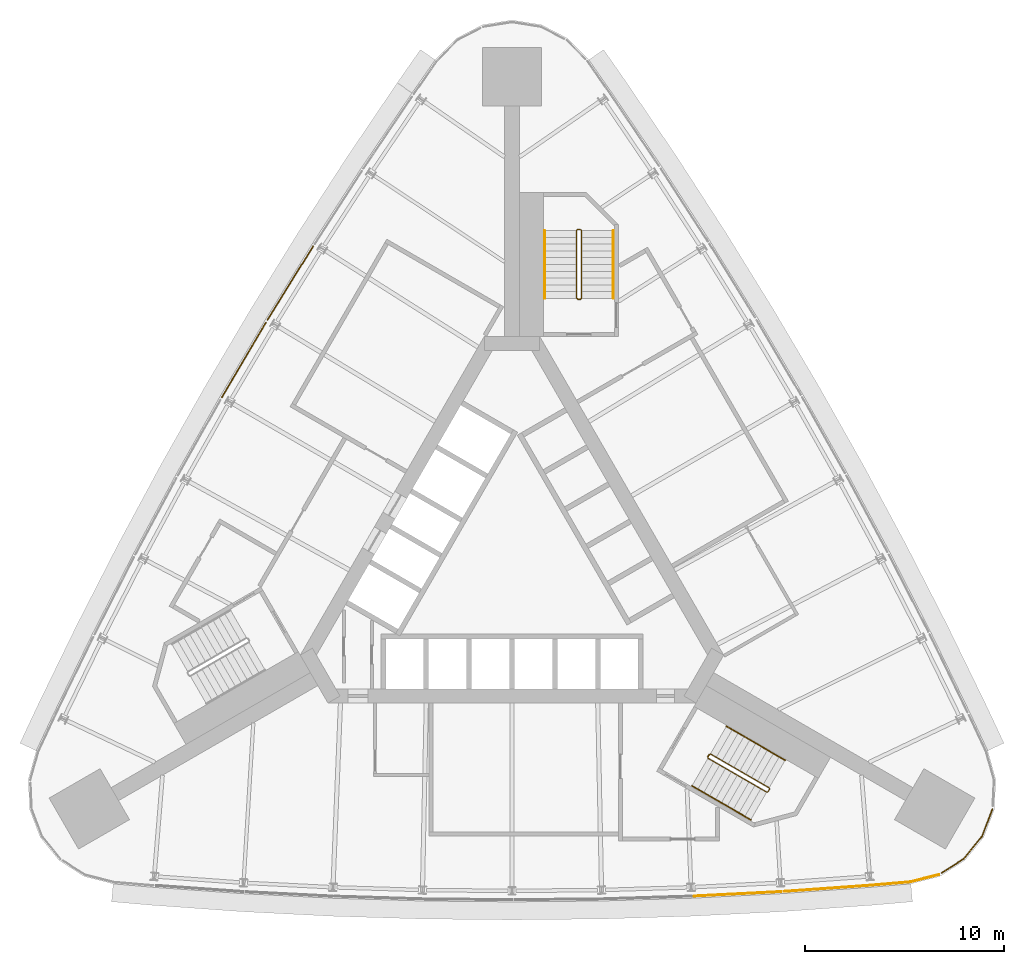
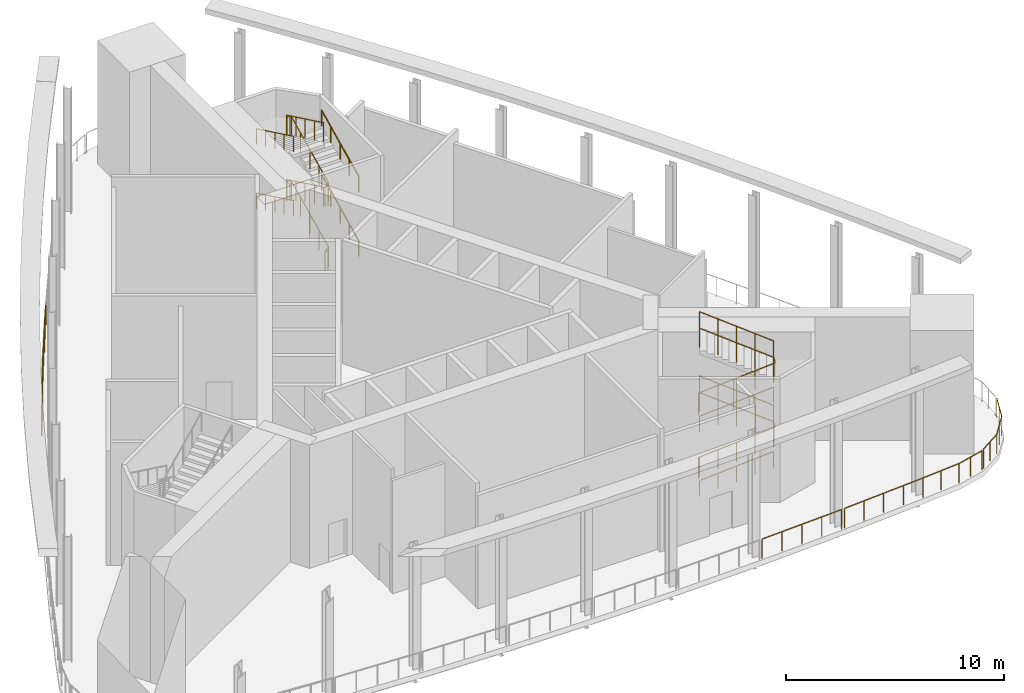
# One storey, part 6 of 7: 15 railings.
"""IFC4 building model written with IfcOpenShell, lengths in metres."""

from ifc_helpers import new_model, si_unit, direction, frame, origin, origin_2d, place, context, subcontext, project, spatial, circle, extrude, material, type_object, element, save


model = new_model("IFC4")

# Units and contexts
model_context = context("Model", 3, precision=1e-05, world=origin(), true_north=direction((0.0, 1.0)))
body_context = subcontext(model_context, "Body", "Model", "MODEL_VIEW")
ifc_project = project(units=[si_unit("LENGTHUNIT", "METRE"), si_unit("AREAUNIT", "SQUARE_METRE"), si_unit("VOLUMEUNIT", "CUBIC_METRE"), si_unit("PLANEANGLEUNIT", "RADIAN"), si_unit("MASSUNIT", "GRAM", prefix="KILO")], contexts=[model_context])

# Site, building, storey
site_placement = place(None, origin())
site = spatial("IfcSite", under=ifc_project, at=site_placement, CompositionType="ELEMENT")
building_placement = place(site_placement, origin())
building = spatial("IfcBuilding", under=site, at=building_placement, Name="Noor Cloister Tower", CompositionType="ELEMENT")
storey_placement = place(building_placement, frame((0.0, 0.0, 127.5)))
storey = spatial("IfcBuildingStorey", under=building, at=storey_placement, Name="L33", CompositionType="ELEMENT", Elevation=127.5)

# Railings
ifc_material_1 = material(Name="Stainless steel", Category="steel")
railing_type_1 = type_object("IfcRailingType", Name="Stair guard 1100", PredefinedType="GUARDRAIL", material=ifc_material_1)
railing_1_placement = place(storey_placement, frame((3.435546875, 13.306396484375, 0.0)))
element("IfcRailing", 1, at=railing_1_placement, inside=storey, type_object=railing_type_1, Name="Stair guard ST1 L33", PredefinedType="GUARDRAIL", context=body_context, shape_type="SweptSolid", body=[
    extrude(circle(Radius=0.02392578125, at=origin_2d()), frame((0.0, 0.0, 1.076171875), z_axis=(-1.0, 0.0, 0.0), x_axis=(0.0, -1.0, 0.0)), (0.0, 0.0, 1.0), 0.14990234375),
    extrude(circle(Radius=0.02392578125, at=origin_2d()), frame((-0.14990234375, 0.0, 1.076171875), z_axis=(0.759870394187, 0.190199549216, 0.621627795), x_axis=(-0.242814311512, 0.970072785993, 0.0)), (0.0, 0.0, 1.0), 0.26318359375),
    extrude(circle(Radius=0.02392578125, at=origin_2d()), frame((0.050048828125, 0.050048828125, 1.23974609375), z_axis=(0.0, 0.901055053782, 0.433704726806), x_axis=(-1.0, 0.0, 0.0)), (0.0, 0.0, 1.0), 3.773193359375),
    extrude(circle(Radius=0.02392578125, at=origin_2d()), frame((0.050048828125, 3.449951171875, 2.8759765625), z_axis=(-0.707106781187, 0.707106781187, 0.0), x_axis=(-0.707106781187, -0.707106781187, 0.0)), (0.0, 0.0, 1.0), 0.07080078125),
    extrude(circle(Radius=0.02392578125, at=origin_2d()), frame((0.0, 3.5, 2.8759765625), z_axis=(-1.0, 0.0, 0.0), x_axis=(0.0, -1.0, 0.0)), (0.0, 0.0, 1.0), 0.14990234375),
    extrude(circle(Radius=0.02392578125, at=origin_2d()), frame((-0.14990234375, 3.5, 2.8759765625), z_axis=(-0.280808744504, -0.280808744504, 0.917765164963), x_axis=(0.707106781187, -0.707106781187, 0.0)), (0.0, 0.0, 1.0), 0.17822265625),
    extrude(circle(Radius=0.02392578125, at=origin_2d()), frame((-0.199951171875, 3.449951171875, 3.03955078125), z_axis=(0.0, -0.901055053782, 0.433704726806), x_axis=(1.0, 0.0, 0.0)), (0.0, 0.0, 1.0), 3.773193359375),
    extrude(circle(Radius=0.02392578125, at=origin_2d()), frame((-0.199951171875, 0.050048828125, 4.67626953125), z_axis=(0.970072785993, -0.242814311512, 0.0), x_axis=(0.242814311512, 0.970072785993, 0.0)), (0.0, 0.0, 1.0), 0.2060546875),
    extrude(circle(Radius=0.02392578125, at=origin_2d()), frame((0.0, 0.0, 4.67626953125), z_axis=(-1.0, 0.0, 0.0), x_axis=(0.0, -1.0, 0.0)), (0.0, 0.0, 1.0), 0.14990234375),
    extrude(circle(Radius=0.02392578125, at=origin_2d()), frame((-0.14990234375, 0.0, 4.67626953125), z_axis=(0.759870394187, 0.190199549216, 0.621627795), x_axis=(-0.242814311512, 0.970072785993, 0.0)), (0.0, 0.0, 1.0), 0.26318359375),
    extrude(circle(Radius=0.02392578125, at=origin_2d()), frame((0.050048828125, 0.050048828125, 4.83984375), z_axis=(0.0, 0.901080338394, 0.433652192153), x_axis=(-1.0, 0.0, 0.0)), (0.0, 0.0, 1.0), 3.773193359375),
    extrude(circle(Radius=0.02392578125, at=origin_2d()), frame((0.050048828125, 3.449951171875, 6.47607421875), z_axis=(-0.707106781187, 0.707106781187, 0.0), x_axis=(-0.707106781187, -0.707106781187, 0.0)), (0.0, 0.0, 1.0), 0.07080078125),
    extrude(circle(Radius=0.02392578125, at=origin_2d()), frame((0.0, 3.5, 6.47607421875), z_axis=(-1.0, 0.0, 0.0), x_axis=(0.0, -1.0, 0.0)), (0.0, 0.0, 1.0), 0.14990234375),
    extrude(circle(Radius=0.02392578125, at=origin_2d()), frame((-0.14990234375, 3.5, 6.47607421875), z_axis=(-0.280456126637, -0.280456126637, 0.917980785237), x_axis=(0.707106781187, -0.707106781187, 0.0)), (0.0, 0.0, 1.0), 0.178466796875),
    extrude(circle(Radius=0.02392578125, at=origin_2d()), frame((-0.199951171875, 3.449951171875, 6.6396484375), z_axis=(0.0, -0.901080338394, 0.433652192153), x_axis=(1.0, 0.0, 0.0)), (0.0, 0.0, 1.0), 3.773193359375),
    extrude(circle(Radius=0.02099609375, at=origin_2d()), origin(), (0.0, 0.0, 1.0), 1.052001953125),
    extrude(circle(Radius=0.02099609375, at=origin_2d()), frame((-0.14990234375, 0.0, 0.0)), (0.0, 0.0, 1.0), 1.052001953125),
    extrude(circle(Radius=0.02099609375, at=origin_2d()), frame((0.050048828125, 0.050048828125, 0.16357421875)), (0.0, 0.0, 1.0), 1.052001953125),
    extrude(circle(Radius=0.02099609375, at=origin_2d()), frame((0.050048828125, 0.89990234375, 0.57275390625)), (0.0, 0.0, 1.0), 1.052001953125),
    extrude(circle(Radius=0.02099609375, at=origin_2d()), frame((0.050048828125, 1.75, 0.98193359375)), (0.0, 0.0, 1.0), 1.052001953125),
    extrude(circle(Radius=0.02099609375, at=origin_2d()), frame((0.050048828125, 2.60009765625, 1.390869140625)), (0.0, 0.0, 1.0), 1.052001953125),
    extrude(circle(Radius=0.02099609375, at=origin_2d()), frame((0.050048828125, 3.449951171875, 1.800048828125)), (0.0, 0.0, 1.0), 1.052001953125),
    extrude(circle(Radius=0.02099609375, at=origin_2d()), frame((0.0, 3.5, 1.800048828125)), (0.0, 0.0, 1.0), 1.052001953125),
    extrude(circle(Radius=0.02099609375, at=origin_2d()), frame((-0.14990234375, 3.5, 1.800048828125)), (0.0, 0.0, 1.0), 1.052001953125),
    extrude(circle(Radius=0.02099609375, at=origin_2d()), frame((-0.199951171875, 3.449951171875, 1.963623046875)), (0.0, 0.0, 1.0), 1.052001953125),
    extrude(circle(Radius=0.02099609375, at=origin_2d()), frame((-0.199951171875, 2.60009765625, 2.372802734375)), (0.0, 0.0, 1.0), 1.052001953125),
    extrude(circle(Radius=0.02099609375, at=origin_2d()), frame((-0.199951171875, 1.75, 2.78173828125)), (0.0, 0.0, 1.0), 1.052001953125),
    extrude(circle(Radius=0.02099609375, at=origin_2d()), frame((-0.199951171875, 0.89990234375, 3.19091796875)), (0.0, 0.0, 1.0), 1.052001953125),
    extrude(circle(Radius=0.02099609375, at=origin_2d()), frame((-0.199951171875, 0.050048828125, 3.60009765625)), (0.0, 0.0, 1.0), 1.052001953125),
    extrude(circle(Radius=0.02099609375, at=origin_2d()), frame((0.0, 0.0, 3.60009765625)), (0.0, 0.0, 1.0), 1.052001953125),
    extrude(circle(Radius=0.02099609375, at=origin_2d()), frame((-0.14990234375, 0.0, 3.60009765625)), (0.0, 0.0, 1.0), 1.052001953125),
    extrude(circle(Radius=0.02099609375, at=origin_2d()), frame((0.050048828125, 0.050048828125, 3.763671875)), (0.0, 0.0, 1.0), 1.052001953125),
    extrude(circle(Radius=0.02099609375, at=origin_2d()), frame((0.050048828125, 0.89990234375, 4.1728515625)), (0.0, 0.0, 1.0), 1.052001953125),
    extrude(circle(Radius=0.02099609375, at=origin_2d()), frame((0.050048828125, 1.75, 4.581787109375)), (0.0, 0.0, 1.0), 1.052001953125),
    extrude(circle(Radius=0.02099609375, at=origin_2d()), frame((0.050048828125, 2.60009765625, 4.99072265625)), (0.0, 0.0, 1.0), 1.052001953125),
    extrude(circle(Radius=0.02099609375, at=origin_2d()), frame((0.050048828125, 3.449951171875, 5.39990234375)), (0.0, 0.0, 1.0), 1.052001953125),
    extrude(circle(Radius=0.02099609375, at=origin_2d()), frame((0.0, 3.5, 5.39990234375)), (0.0, 0.0, 1.0), 1.052001953125),
    extrude(circle(Radius=0.02099609375, at=origin_2d()), frame((-0.14990234375, 3.5, 5.39990234375)), (0.0, 0.0, 1.0), 1.052001953125),
    extrude(circle(Radius=0.02099609375, at=origin_2d()), frame((-0.199951171875, 3.449951171875, 5.563720703125)), (0.0, 0.0, 1.0), 1.052001953125),
    extrude(circle(Radius=0.02099609375, at=origin_2d()), frame((-0.199951171875, 2.60009765625, 5.97265625)), (0.0, 0.0, 1.0), 1.052001953125),
    extrude(circle(Radius=0.02099609375, at=origin_2d()), frame((-0.199951171875, 1.75, 6.3818359375)), (0.0, 0.0, 1.0), 1.052001953125),
    extrude(circle(Radius=0.02099609375, at=origin_2d()), frame((-0.199951171875, 0.89990234375, 6.791015625)), (0.0, 0.0, 1.0), 1.052001953125),
    extrude(circle(Radius=0.02099609375, at=origin_2d()), frame((-0.199951171875, 0.050048828125, 7.199951171875)), (0.0, 0.0, 1.0), 1.052001953125),
])
railing_2_placement = place(storey_placement, frame((9.805908203125, -9.628662109375, 0.0)))
element("IfcRailing", 2, at=railing_2_placement, inside=storey, type_object=railing_type_1, Name="Stair guard ST3 L33", PredefinedType="GUARDRAIL", context=body_context, shape_type="SweptSolid", body=[
    extrude(circle(Radius=0.02392578125, at=origin_2d()), frame((0.0, 0.0, 1.076171875), z_axis=(0.499112439033, 0.866537231285, 0.0), x_axis=(-0.866537231285, 0.499112439033, 0.0)), (0.0, 0.0, 1.0), 0.150146484375),
    extrude(circle(Radius=0.02392578125, at=origin_2d()), frame((0.074951171875, 0.130126953125, 1.076171875), z_axis=(-0.215214839654, -0.753251938789, 0.621525614518), x_axis=(0.961523947641, -0.274721127897, 0.0)), (0.0, 0.0, 1.0), 0.26318359375),
    extrude(circle(Radius=0.02392578125, at=origin_2d()), frame((0.018310546875, -0.068115234375, 1.23974609375), z_axis=(0.7803069921, -0.450585231591, 0.433697990717), x_axis=(0.500062241894, 0.865989465428, 0.0)), (0.0, 0.0, 1.0), 3.773193359375),
    extrude(circle(Radius=0.02392578125, at=origin_2d()), frame((2.962646484375, -1.768310546875, 2.8759765625), z_axis=(0.965948051503, 0.258736085224, 0.0), x_axis=(-0.258736085224, 0.965948051503, 0.0)), (0.0, 0.0, 1.0), 0.07080078125),
    extrude(circle(Radius=0.02392578125, at=origin_2d()), frame((3.031005859375, -1.75, 2.8759765625), z_axis=(0.499112439033, 0.866537231285, 0.0), x_axis=(-0.866537231285, 0.499112439033, 0.0)), (0.0, 0.0, 1.0), 0.150146484375),
    extrude(circle(Radius=0.02392578125, at=origin_2d()), frame((3.10595703125, -1.619873046875, 2.8759765625), z_axis=(-0.102791240646, 0.382383415203, 0.918268416436), x_axis=(-0.965715946433, -0.259601060869, 0.0)), (0.0, 0.0, 1.0), 0.17822265625),
    extrude(circle(Radius=0.02392578125, at=origin_2d()), frame((3.087646484375, -1.5517578125, 3.03955078125), z_axis=(-0.780329740374, 0.450533663534, 0.433710634306), x_axis=(-0.500008388397, -0.866020560687, 0.0)), (0.0, 0.0, 1.0), 3.773193359375),
    extrude(circle(Radius=0.02392578125, at=origin_2d()), frame((0.143310546875, 0.148193359375, 4.67626953125), z_axis=(-0.695164929852, -0.718850276695, 0.0), x_axis=(0.718850276695, -0.695164929852, 0.0)), (0.0, 0.0, 1.0), 0.2060546875),
    extrude(circle(Radius=0.02392578125, at=origin_2d()), frame((0.0, 0.0, 4.67626953125), z_axis=(0.499112439033, 0.866537231285, 0.0), x_axis=(-0.866537231285, 0.499112439033, 0.0)), (0.0, 0.0, 1.0), 0.150146484375),
    extrude(circle(Radius=0.02392578125, at=origin_2d()), frame((0.074951171875, 0.130126953125, 4.67626953125), z_axis=(-0.215214839654, -0.753251938789, 0.621525614518), x_axis=(0.961523947641, -0.274721127897, 0.0)), (0.0, 0.0, 1.0), 0.26318359375),
    extrude(circle(Radius=0.02392578125, at=origin_2d()), frame((0.018310546875, -0.068115234375, 4.83984375), z_axis=(0.780328887707, -0.450597875124, 0.433645456502), x_axis=(0.500062241894, 0.865989465428, 0.0)), (0.0, 0.0, 1.0), 3.773193359375),
    extrude(circle(Radius=0.02392578125, at=origin_2d()), frame((2.962646484375, -1.768310546875, 6.47607421875), z_axis=(0.965948051503, 0.258736085224, 0.0), x_axis=(-0.258736085224, 0.965948051503, 0.0)), (0.0, 0.0, 1.0), 0.07080078125),
    extrude(circle(Radius=0.02392578125, at=origin_2d()), frame((3.031005859375, -1.75, 6.47607421875), z_axis=(0.499112439033, 0.866537231285, 0.0), x_axis=(-0.866537231285, 0.499112439033, 0.0)), (0.0, 0.0, 1.0), 0.150146484375),
    extrude(circle(Radius=0.02392578125, at=origin_2d()), frame((3.10595703125, -1.619873046875, 6.47607421875), z_axis=(-0.10266202204, 0.381902721988, 0.918482890515), x_axis=(-0.965715946433, -0.259601060869, 0.0)), (0.0, 0.0, 1.0), 0.178466796875),
    extrude(circle(Radius=0.02392578125, at=origin_2d()), frame((3.087646484375, -1.5517578125, 6.6396484375), z_axis=(-0.780351637896, 0.450546306357, 0.433658099268), x_axis=(-0.500008388397, -0.866020560687, 0.0)), (0.0, 0.0, 1.0), 3.773193359375),
    extrude(circle(Radius=0.02099609375, at=origin_2d()), origin(), (0.0, 0.0, 1.0), 1.052001953125),
    extrude(circle(Radius=0.02099609375, at=origin_2d()), frame((0.074951171875, 0.130126953125, 0.0)), (0.0, 0.0, 1.0), 1.052001953125),
    extrude(circle(Radius=0.02099609375, at=origin_2d()), frame((0.018310546875, -0.068115234375, 0.16357421875)), (0.0, 0.0, 1.0), 1.052001953125),
    extrude(circle(Radius=0.02099609375, at=origin_2d()), frame((0.75439453125, -0.4931640625, 0.57275390625)), (0.0, 0.0, 1.0), 1.052001953125),
    extrude(circle(Radius=0.02099609375, at=origin_2d()), frame((1.490478515625, -0.918212890625, 0.98193359375)), (0.0, 0.0, 1.0), 1.052001953125),
    extrude(circle(Radius=0.02099609375, at=origin_2d()), frame((2.2265625, -1.34326171875, 1.390869140625)), (0.0, 0.0, 1.0), 1.052001953125),
    extrude(circle(Radius=0.02099609375, at=origin_2d()), frame((2.962646484375, -1.768310546875, 1.800048828125)), (0.0, 0.0, 1.0), 1.052001953125),
    extrude(circle(Radius=0.02099609375, at=origin_2d()), frame((3.031005859375, -1.75, 1.800048828125)), (0.0, 0.0, 1.0), 1.052001953125),
    extrude(circle(Radius=0.02099609375, at=origin_2d()), frame((3.10595703125, -1.619873046875, 1.800048828125)), (0.0, 0.0, 1.0), 1.052001953125),
    extrude(circle(Radius=0.02099609375, at=origin_2d()), frame((3.087646484375, -1.5517578125, 1.963623046875)), (0.0, 0.0, 1.0), 1.052001953125),
    extrude(circle(Radius=0.02099609375, at=origin_2d()), frame((2.3515625, -1.126708984375, 2.372802734375)), (0.0, 0.0, 1.0), 1.052001953125),
    extrude(circle(Radius=0.02099609375, at=origin_2d()), frame((1.615478515625, -0.70166015625, 2.78173828125)), (0.0, 0.0, 1.0), 1.052001953125),
    extrude(circle(Radius=0.02099609375, at=origin_2d()), frame((0.87939453125, -0.27685546875, 3.19091796875)), (0.0, 0.0, 1.0), 1.052001953125),
    extrude(circle(Radius=0.02099609375, at=origin_2d()), frame((0.143310546875, 0.148193359375, 3.60009765625)), (0.0, 0.0, 1.0), 1.052001953125),
    extrude(circle(Radius=0.02099609375, at=origin_2d()), frame((0.0, 0.0, 3.60009765625)), (0.0, 0.0, 1.0), 1.052001953125),
    extrude(circle(Radius=0.02099609375, at=origin_2d()), frame((0.074951171875, 0.130126953125, 3.60009765625)), (0.0, 0.0, 1.0), 1.052001953125),
    extrude(circle(Radius=0.02099609375, at=origin_2d()), frame((0.018310546875, -0.068115234375, 3.763671875)), (0.0, 0.0, 1.0), 1.052001953125),
    extrude(circle(Radius=0.02099609375, at=origin_2d()), frame((0.75439453125, -0.4931640625, 4.1728515625)), (0.0, 0.0, 1.0), 1.052001953125),
    extrude(circle(Radius=0.02099609375, at=origin_2d()), frame((1.490478515625, -0.918212890625, 4.581787109375)), (0.0, 0.0, 1.0), 1.052001953125),
    extrude(circle(Radius=0.02099609375, at=origin_2d()), frame((2.2265625, -1.34326171875, 4.99072265625)), (0.0, 0.0, 1.0), 1.052001953125),
    extrude(circle(Radius=0.02099609375, at=origin_2d()), frame((2.962646484375, -1.768310546875, 5.39990234375)), (0.0, 0.0, 1.0), 1.052001953125),
    extrude(circle(Radius=0.02099609375, at=origin_2d()), frame((3.031005859375, -1.75, 5.39990234375)), (0.0, 0.0, 1.0), 1.052001953125),
    extrude(circle(Radius=0.02099609375, at=origin_2d()), frame((3.10595703125, -1.619873046875, 5.39990234375)), (0.0, 0.0, 1.0), 1.052001953125),
    extrude(circle(Radius=0.02099609375, at=origin_2d()), frame((3.087646484375, -1.5517578125, 5.563720703125)), (0.0, 0.0, 1.0), 1.052001953125),
    extrude(circle(Radius=0.02099609375, at=origin_2d()), frame((2.3515625, -1.126708984375, 5.97265625)), (0.0, 0.0, 1.0), 1.052001953125),
    extrude(circle(Radius=0.02099609375, at=origin_2d()), frame((1.615478515625, -0.70166015625, 6.3818359375)), (0.0, 0.0, 1.0), 1.052001953125),
    extrude(circle(Radius=0.02099609375, at=origin_2d()), frame((0.87939453125, -0.27685546875, 6.791015625)), (0.0, 0.0, 1.0), 1.052001953125),
    extrude(circle(Radius=0.02099609375, at=origin_2d()), frame((0.143310546875, 0.148193359375, 7.199951171875)), (0.0, 0.0, 1.0), 1.052001953125),
])
ifc_material_2 = material(Name="Stainless steel", Category="steel")
railing_type_2 = type_object("IfcRailingType", Name="Stair handrail 900", PredefinedType="HANDRAIL", material=ifc_material_2)
railing_3_placement = place(storey_placement, frame((5.085693359375, 13.3564453125, 0.16357421875)))
element("IfcRailing", 3, at=railing_3_placement, inside=storey, type_object=railing_type_2, Name="Stair handrail ST1 L33 1", PredefinedType="HANDRAIL", context=body_context, shape_type="SweptSolid", body=[
    extrude(circle(Radius=0.02392578125, at=origin_2d()), frame((0.0, 0.0, 0.8759765625), z_axis=(0.0, 0.901055053782, 0.433704726806), x_axis=(-1.0, 0.0, 0.0)), (0.0, 0.0, 1.0), 3.773193359375),
    extrude(circle(Radius=0.02099609375, at=origin_2d()), origin(), (0.0, 0.0, 1.0), 0.851806640625),
    extrude(circle(Radius=0.02099609375, at=origin_2d()), frame((0.0, 0.85009765625, 0.4091796875)), (0.0, 0.0, 1.0), 0.851806640625),
    extrude(circle(Radius=0.02099609375, at=origin_2d()), frame((0.0, 1.699951171875, 0.818359375)), (0.0, 0.0, 1.0), 0.851806640625),
    extrude(circle(Radius=0.02099609375, at=origin_2d()), frame((0.0, 2.5498046875, 1.227294921875)), (0.0, 0.0, 1.0), 0.851806640625),
    extrude(circle(Radius=0.02099609375, at=origin_2d()), frame((0.0, 3.39990234375, 1.636474609375)), (0.0, 0.0, 1.0), 0.851806640625),
])
railing_4_placement = place(storey_placement, frame((1.6357421875, 16.75634765625, 1.963623046875)))
element("IfcRailing", 4, at=railing_4_placement, inside=storey, type_object=railing_type_2, Name="Stair handrail ST1 L33 2", PredefinedType="HANDRAIL", context=body_context, shape_type="SweptSolid", body=[
    extrude(circle(Radius=0.02392578125, at=origin_2d()), frame((0.0, 0.0, 0.8759765625), z_axis=(0.0, -0.901055053782, 0.433704726806), x_axis=(1.0, 0.0, 0.0)), (0.0, 0.0, 1.0), 3.773193359375),
    extrude(circle(Radius=0.02099609375, at=origin_2d()), origin(), (0.0, 0.0, 1.0), 0.851806640625),
    extrude(circle(Radius=0.02099609375, at=origin_2d()), frame((0.0, -0.85009765625, 0.4091796875)), (0.0, 0.0, 1.0), 0.851806640625),
    extrude(circle(Radius=0.02099609375, at=origin_2d()), frame((0.0, -1.699951171875, 0.818359375)), (0.0, 0.0, 1.0), 0.851806640625),
    extrude(circle(Radius=0.02099609375, at=origin_2d()), frame((0.0, -2.5498046875, 1.227294921875)), (0.0, 0.0, 1.0), 0.851806640625),
    extrude(circle(Radius=0.02099609375, at=origin_2d()), frame((0.0, -3.39990234375, 1.636474609375)), (0.0, 0.0, 1.0), 0.851806640625),
])
railing_5_placement = place(storey_placement, frame((5.085693359375, 13.3564453125, 3.763671875)))
element("IfcRailing", 5, at=railing_5_placement, inside=storey, type_object=railing_type_2, Name="Stair handrail ST1 L33 3", PredefinedType="HANDRAIL", context=body_context, shape_type="SweptSolid", body=[
    extrude(circle(Radius=0.02392578125, at=origin_2d()), frame((0.0, 0.0, 0.8759765625), z_axis=(0.0, 0.901080338394, 0.433652192153), x_axis=(-1.0, 0.0, 0.0)), (0.0, 0.0, 1.0), 3.773193359375),
    extrude(circle(Radius=0.02099609375, at=origin_2d()), origin(), (0.0, 0.0, 1.0), 0.851806640625),
    extrude(circle(Radius=0.02099609375, at=origin_2d()), frame((0.0, 0.85009765625, 0.4091796875)), (0.0, 0.0, 1.0), 0.851806640625),
    extrude(circle(Radius=0.02099609375, at=origin_2d()), frame((0.0, 1.699951171875, 0.818115234375)), (0.0, 0.0, 1.0), 0.851806640625),
    extrude(circle(Radius=0.02099609375, at=origin_2d()), frame((0.0, 2.5498046875, 1.22705078125)), (0.0, 0.0, 1.0), 0.851806640625),
    extrude(circle(Radius=0.02099609375, at=origin_2d()), frame((0.0, 3.39990234375, 1.63623046875)), (0.0, 0.0, 1.0), 0.851806640625),
])
railing_6_placement = place(storey_placement, frame((1.6357421875, 16.75634765625, 5.563720703125)))
element("IfcRailing", 6, at=railing_6_placement, inside=storey, type_object=railing_type_2, Name="Stair handrail ST1 L33 4", PredefinedType="HANDRAIL", context=body_context, shape_type="SweptSolid", body=[
    extrude(circle(Radius=0.02392578125, at=origin_2d()), frame((0.0, 0.0, 0.8759765625), z_axis=(0.0, -0.901080338394, 0.433652192153), x_axis=(1.0, 0.0, 0.0)), (0.0, 0.0, 1.0), 3.773193359375),
    extrude(circle(Radius=0.02099609375, at=origin_2d()), origin(), (0.0, 0.0, 1.0), 0.851806640625),
    extrude(circle(Radius=0.02099609375, at=origin_2d()), frame((0.0, -0.85009765625, 0.4091796875)), (0.0, 0.0, 1.0), 0.851806640625),
    extrude(circle(Radius=0.02099609375, at=origin_2d()), frame((0.0, -1.699951171875, 0.818115234375)), (0.0, 0.0, 1.0), 0.851806640625),
    extrude(circle(Radius=0.02099609375, at=origin_2d()), frame((0.0, -2.5498046875, 1.22705078125)), (0.0, 0.0, 1.0), 0.851806640625),
    extrude(circle(Radius=0.02099609375, at=origin_2d()), frame((0.0, -3.39990234375, 1.63623046875)), (0.0, 0.0, 1.0), 0.851806640625),
])
railing_7_placement = place(storey_placement, frame((9.024169921875, -11.08251953125, 0.16357421875)))
element("IfcRailing", 7, at=railing_7_placement, inside=storey, type_object=railing_type_2, Name="Stair handrail ST3 L33 1", PredefinedType="HANDRAIL", context=body_context, shape_type="SweptSolid", body=[
    extrude(circle(Radius=0.02392578125, at=origin_2d()), frame((0.0, 0.0, 0.8759765625), z_axis=(0.780355043238, -0.450510916679, 0.433688736823), x_axis=(0.499977295307, 0.866038511948, 0.0)), (0.0, 0.0, 1.0), 3.7734375),
    extrude(circle(Radius=0.02099609375, at=origin_2d()), origin(), (0.0, 0.0, 1.0), 0.851806640625),
    extrude(circle(Radius=0.02099609375, at=origin_2d()), frame((0.736083984375, -0.425048828125, 0.4091796875)), (0.0, 0.0, 1.0), 0.851806640625),
    extrude(circle(Radius=0.02099609375, at=origin_2d()), frame((1.47216796875, -0.85009765625, 0.818359375)), (0.0, 0.0, 1.0), 0.851806640625),
    extrude(circle(Radius=0.02099609375, at=origin_2d()), frame((2.20849609375, -1.27490234375, 1.227294921875)), (0.0, 0.0, 1.0), 0.851806640625),
    extrude(circle(Radius=0.02099609375, at=origin_2d()), frame((2.944580078125, -1.699951171875, 1.636474609375)), (0.0, 0.0, 1.0), 0.851806640625),
])
railing_8_placement = place(storey_placement, frame((13.693603515625, -9.794677734375, 1.963623046875)))
element("IfcRailing", 8, at=railing_8_placement, inside=storey, type_object=railing_type_2, Name="Stair handrail ST3 L33 2", PredefinedType="HANDRAIL", context=body_context, shape_type="SweptSolid", body=[
    extrude(circle(Radius=0.02392578125, at=origin_2d()), frame((0.0, 0.0, 0.8759765625), z_axis=(-0.780329740374, 0.450533663534, 0.433710634306), x_axis=(-0.500008388397, -0.866020560687, 0.0)), (0.0, 0.0, 1.0), 3.773193359375),
    extrude(circle(Radius=0.02099609375, at=origin_2d()), origin(), (0.0, 0.0, 1.0), 0.851806640625),
    extrude(circle(Radius=0.02099609375, at=origin_2d()), frame((-0.736083984375, 0.425048828125, 0.4091796875)), (0.0, 0.0, 1.0), 0.851806640625),
    extrude(circle(Radius=0.02099609375, at=origin_2d()), frame((-1.47216796875, 0.85009765625, 0.818359375)), (0.0, 0.0, 1.0), 0.851806640625),
    extrude(circle(Radius=0.02099609375, at=origin_2d()), frame((-2.208251953125, 1.27490234375, 1.227294921875)), (0.0, 0.0, 1.0), 0.851806640625),
    extrude(circle(Radius=0.02099609375, at=origin_2d()), frame((-2.9443359375, 1.699951171875, 1.636474609375)), (0.0, 0.0, 1.0), 0.851806640625),
])
railing_9_placement = place(storey_placement, frame((9.024169921875, -11.08251953125, 3.763671875)))
element("IfcRailing", 9, at=railing_9_placement, inside=storey, type_object=railing_type_2, Name="Stair handrail ST3 L33 3", PredefinedType="HANDRAIL", context=body_context, shape_type="SweptSolid", body=[
    extrude(circle(Radius=0.02392578125, at=origin_2d()), frame((0.0, 0.0, 0.8759765625), z_axis=(0.780376939258, -0.450523557587, 0.433636203209), x_axis=(0.499977295307, 0.866038511948, 0.0)), (0.0, 0.0, 1.0), 3.773193359375),
    extrude(circle(Radius=0.02099609375, at=origin_2d()), origin(), (0.0, 0.0, 1.0), 0.851806640625),
    extrude(circle(Radius=0.02099609375, at=origin_2d()), frame((0.736083984375, -0.425048828125, 0.4091796875)), (0.0, 0.0, 1.0), 0.851806640625),
    extrude(circle(Radius=0.02099609375, at=origin_2d()), frame((1.47216796875, -0.85009765625, 0.818115234375)), (0.0, 0.0, 1.0), 0.851806640625),
    extrude(circle(Radius=0.02099609375, at=origin_2d()), frame((2.20849609375, -1.27490234375, 1.22705078125)), (0.0, 0.0, 1.0), 0.851806640625),
    extrude(circle(Radius=0.02099609375, at=origin_2d()), frame((2.944580078125, -1.699951171875, 1.63623046875)), (0.0, 0.0, 1.0), 0.851806640625),
])
railing_10_placement = place(storey_placement, frame((13.693603515625, -9.794677734375, 5.563720703125)))
element("IfcRailing", 10, at=railing_10_placement, inside=storey, type_object=railing_type_2, Name="Stair handrail ST3 L33 4", PredefinedType="HANDRAIL", context=body_context, shape_type="SweptSolid", body=[
    extrude(circle(Radius=0.02392578125, at=origin_2d()), frame((0.0, 0.0, 0.8759765625), z_axis=(-0.780351637896, 0.450546306357, 0.433658099268), x_axis=(-0.500008388397, -0.866020560687, 0.0)), (0.0, 0.0, 1.0), 3.773193359375),
    extrude(circle(Radius=0.02099609375, at=origin_2d()), origin(), (0.0, 0.0, 1.0), 0.851806640625),
    extrude(circle(Radius=0.02099609375, at=origin_2d()), frame((-0.736083984375, 0.425048828125, 0.4091796875)), (0.0, 0.0, 1.0), 0.851806640625),
    extrude(circle(Radius=0.02099609375, at=origin_2d()), frame((-1.47216796875, 0.85009765625, 0.818115234375)), (0.0, 0.0, 1.0), 0.851806640625),
    extrude(circle(Radius=0.02099609375, at=origin_2d()), frame((-2.208251953125, 1.27490234375, 1.22705078125)), (0.0, 0.0, 1.0), 0.851806640625),
    extrude(circle(Radius=0.02099609375, at=origin_2d()), frame((-2.9443359375, 1.699951171875, 1.63623046875)), (0.0, 0.0, 1.0), 0.851806640625),
])
ifc_material_3 = material(Name="Stainless steel grade 316", Category="steel")
railing_type_3 = type_object("IfcRailingType", Name="Wind floor guard 1100", PredefinedType="GUARDRAIL", material=ifc_material_3)
railing_11_placement = place(storey_placement, frame((24.08984375, -12.238037109375, 0.0)))
element("IfcRailing", 11, at=railing_11_placement, inside=storey, type_object=railing_type_3, Name="Wind floor guard L33 10", PredefinedType="GUARDRAIL", context=body_context, shape_type="SweptSolid", body=[
    extrude(circle(Radius=0.02392578125, at=origin_2d()), frame((0.0, 0.0, 1.076171875), z_axis=(-0.356140857283, -0.93443228207, 0.0), x_axis=(0.93443228207, -0.356140857283, 0.0)), (0.0, 0.0, 1.0), 1.46484375),
    extrude(circle(Radius=0.02392578125, at=origin_2d()), frame((-0.521728515625, -1.368896484375, 1.076171875), z_axis=(-0.631175830783, -0.775639781493, 0.0), x_axis=(0.775639781493, -0.631175830783, 0.0)), (0.0, 0.0, 1.0), 1.465087890625),
    extrude(circle(Radius=0.02392578125, at=origin_2d()), frame((-1.446533203125, -2.50537109375, 1.076171875), z_axis=(-0.8425511556, -0.538616329307, 0.0), x_axis=(0.538616329307, -0.8425511556, 0.0)), (0.0, 0.0, 1.0), 1.31494140625),
    extrude(circle(Radius=0.02099609375, at=origin_2d()), origin(), (0.0, 0.0, 1.0), 1.052001953125),
    extrude(circle(Radius=0.02099609375, at=origin_2d()), frame((-0.2607421875, -0.6845703125, 0.0)), (0.0, 0.0, 1.0), 1.052001953125),
    extrude(circle(Radius=0.02099609375, at=origin_2d()), frame((-0.521728515625, -1.368896484375, 0.0)), (0.0, 0.0, 1.0), 1.052001953125),
    extrude(circle(Radius=0.02099609375, at=origin_2d()), frame((-0.984130859375, -1.93701171875, 0.0)), (0.0, 0.0, 1.0), 1.052001953125),
    extrude(circle(Radius=0.02099609375, at=origin_2d()), frame((-1.446533203125, -2.50537109375, 0.0)), (0.0, 0.0, 1.0), 1.052001953125),
    extrude(circle(Radius=0.02099609375, at=origin_2d()), frame((-2.00048828125, -2.859375, 0.0)), (0.0, 0.0, 1.0), 1.052001953125),
    extrude(circle(Radius=0.02099609375, at=origin_2d()), frame((-2.554443359375, -3.213623046875, 0.0)), (0.0, 0.0, 1.0), 1.052001953125),
])
railing_12_placement = place(storey_placement, frame((21.408935546875, -15.532470703125, 0.0)))
element("IfcRailing", 12, at=railing_12_placement, inside=storey, type_object=railing_type_3, Name="Wind floor guard L33 11", PredefinedType="GUARDRAIL", context=body_context, shape_type="SweptSolid", body=[
    extrude(circle(Radius=0.02392578125, at=origin_2d()), frame((0.0, 0.0, 1.076171875), z_axis=(-0.968981077027, -0.247134927446, 0.0), x_axis=(0.247134927446, -0.968981077027, 0.0)), (0.0, 0.0, 1.0), 1.472900390625),
    extrude(circle(Radius=0.02392578125, at=origin_2d()), frame((-1.42724609375, -0.364013671875, 1.076171875), z_axis=(-0.99632011321, -0.085710162837, 0.0), x_axis=(0.085710162837, -0.99632011321, 0.0)), (0.0, 0.0, 1.0), 2.0166015625),
    extrude(circle(Radius=0.02392578125, at=origin_2d()), frame((-3.4365234375, -0.536865234375, 1.076171875), z_axis=(-0.997478328062, -0.070971720049, 0.0), x_axis=(0.070971720049, -0.997478328062, 0.0)), (0.0, 0.0, 1.0), 4.34814453125),
    extrude(circle(Radius=0.02099609375, at=origin_2d()), origin(), (0.0, 0.0, 1.0), 1.052001953125),
    extrude(circle(Radius=0.02099609375, at=origin_2d()), frame((-0.713623046875, -0.18212890625, 0.0)), (0.0, 0.0, 1.0), 1.052001953125),
    extrude(circle(Radius=0.02099609375, at=origin_2d()), frame((-1.42724609375, -0.364013671875, 0.0)), (0.0, 0.0, 1.0), 1.052001953125),
    extrude(circle(Radius=0.02099609375, at=origin_2d()), frame((-2.431884765625, -0.450439453125, 0.0)), (0.0, 0.0, 1.0), 1.052001953125),
    extrude(circle(Radius=0.02099609375, at=origin_2d()), frame((-3.4365234375, -0.536865234375, 0.0)), (0.0, 0.0, 1.0), 1.052001953125),
    extrude(circle(Radius=0.02099609375, at=origin_2d()), frame((-4.520751953125, -0.614013671875, 0.0)), (0.0, 0.0, 1.0), 1.052001953125),
    extrude(circle(Radius=0.02099609375, at=origin_2d()), frame((-5.60498046875, -0.691162109375, 0.0)), (0.0, 0.0, 1.0), 1.052001953125),
    extrude(circle(Radius=0.02099609375, at=origin_2d()), frame((-6.689453125, -0.768310546875, 0.0)), (0.0, 0.0, 1.0), 1.052001953125),
    extrude(circle(Radius=0.02099609375, at=origin_2d()), frame((-7.773681640625, -0.845458984375, 0.0)), (0.0, 0.0, 1.0), 1.052001953125),
])
railing_13_placement = place(storey_placement, frame((13.485595703125, -16.388427734375, 0.0)))
element("IfcRailing", 13, at=railing_13_placement, inside=storey, type_object=railing_type_3, Name="Wind floor guard L33 12", PredefinedType="GUARDRAIL", context=body_context, shape_type="SweptSolid", body=[
    extrude(circle(Radius=0.02392578125, at=origin_2d()), frame((0.0, 0.0, 1.076171875), z_axis=(-0.998713676113, -0.050704961741, 0.0), x_axis=(0.050704961741, -0.998713676113, 0.0)), (0.0, 0.0, 1.0), 4.347900390625),
    extrude(circle(Radius=0.02099609375, at=origin_2d()), origin(), (0.0, 0.0, 1.0), 1.052001953125),
    extrude(circle(Radius=0.02099609375, at=origin_2d()), frame((-1.08544921875, -0.05517578125, 0.0)), (0.0, 0.0, 1.0), 1.052001953125),
    extrude(circle(Radius=0.02099609375, at=origin_2d()), frame((-2.171142578125, -0.1103515625, 0.0)), (0.0, 0.0, 1.0), 1.052001953125),
    extrude(circle(Radius=0.02099609375, at=origin_2d()), frame((-3.2568359375, -0.165283203125, 0.0)), (0.0, 0.0, 1.0), 1.052001953125),
    extrude(circle(Radius=0.02099609375, at=origin_2d()), frame((-4.34228515625, -0.220458984375, 0.0)), (0.0, 0.0, 1.0), 1.052001953125),
])
railing_14_placement = place(storey_placement, frame((-14.548583984375, 8.399658203125, 0.0)))
element("IfcRailing", 14, at=railing_14_placement, inside=storey, type_object=railing_type_3, Name="Wind floor guard L33 25", PredefinedType="GUARDRAIL", context=body_context, shape_type="SweptSolid", body=[
    extrude(circle(Radius=0.02392578125, at=origin_2d()), frame((0.0, 0.0, 1.076171875), z_axis=(0.508778496612, 0.860897462759, 0.0), x_axis=(-0.860897462759, 0.508778496612, 0.0)), (0.0, 0.0, 1.0), 4.347900390625),
    extrude(circle(Radius=0.02099609375, at=origin_2d()), origin(), (0.0, 0.0, 1.0), 1.052001953125),
    extrude(circle(Radius=0.02099609375, at=origin_2d()), frame((0.552978515625, 0.935791015625, 0.0)), (0.0, 0.0, 1.0), 1.052001953125),
    extrude(circle(Radius=0.02099609375, at=origin_2d()), frame((1.10595703125, 1.87158203125, 0.0)), (0.0, 0.0, 1.0), 1.052001953125),
    extrude(circle(Radius=0.02099609375, at=origin_2d()), frame((1.6591796875, 2.807373046875, 0.0)), (0.0, 0.0, 1.0), 1.052001953125),
    extrude(circle(Radius=0.02099609375, at=origin_2d()), frame((2.212158203125, 3.7431640625, 0.0)), (0.0, 0.0, 1.0), 1.052001953125),
])
railing_15_placement = place(storey_placement, frame((-12.26025390625, 12.271728515625, 0.0)))
element("IfcRailing", 15, at=railing_15_placement, inside=storey, type_object=railing_type_3, Name="Wind floor guard L33 26", PredefinedType="GUARDRAIL", context=body_context, shape_type="SweptSolid", body=[
    extrude(circle(Radius=0.02392578125, at=origin_2d()), frame((0.0, 0.0, 1.076171875), z_axis=(0.526132294985, 0.850402732929, 0.0), x_axis=(-0.850402732929, 0.526132294985, 0.0)), (0.0, 0.0, 1.0), 4.347900390625),
    extrude(circle(Radius=0.02099609375, at=origin_2d()), origin(), (0.0, 0.0, 1.0), 1.052001953125),
    extrude(circle(Radius=0.02099609375, at=origin_2d()), frame((0.57177734375, 0.92431640625, 0.0)), (0.0, 0.0, 1.0), 1.052001953125),
    extrude(circle(Radius=0.02099609375, at=origin_2d()), frame((1.143798828125, 1.8486328125, 0.0)), (0.0, 0.0, 1.0), 1.052001953125),
    extrude(circle(Radius=0.02099609375, at=origin_2d()), frame((1.7158203125, 2.773193359375, 0.0)), (0.0, 0.0, 1.0), 1.052001953125),
    extrude(circle(Radius=0.02099609375, at=origin_2d()), frame((2.28759765625, 3.697509765625, 0.0)), (0.0, 0.0, 1.0), 1.052001953125),
])

save(model, "model.ifc")
